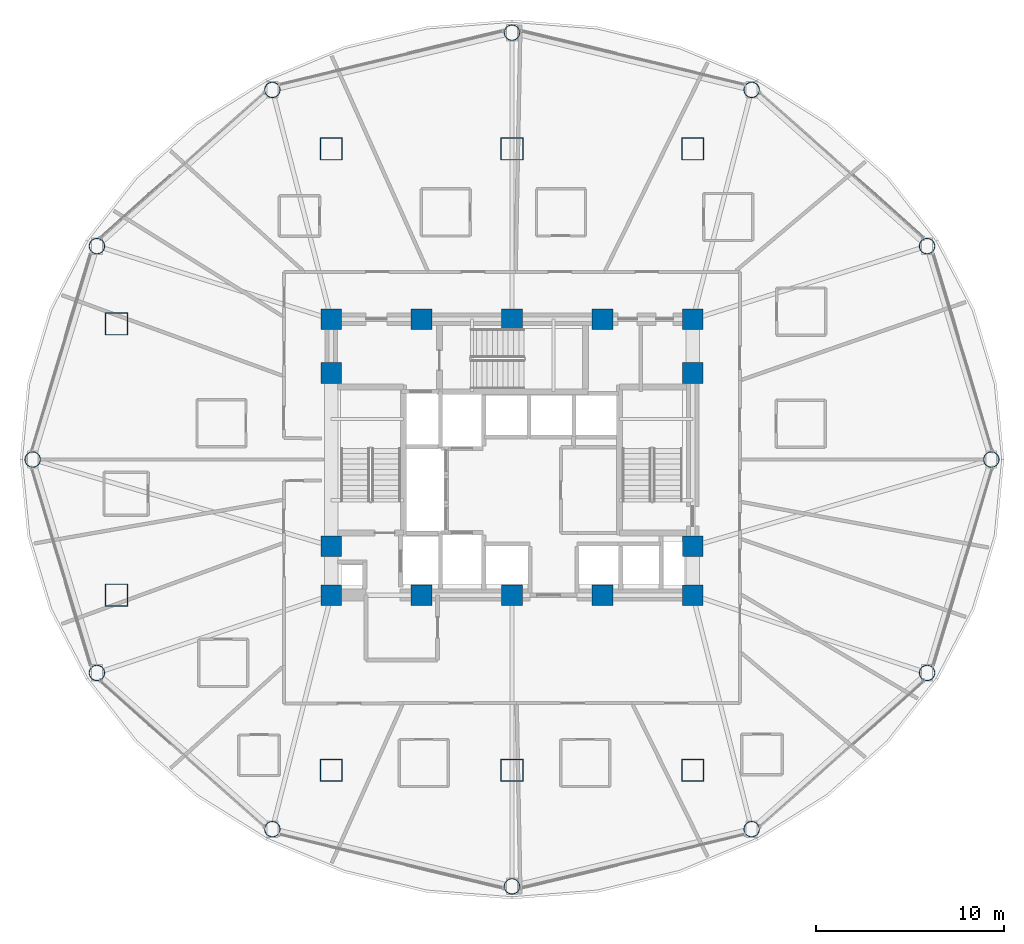
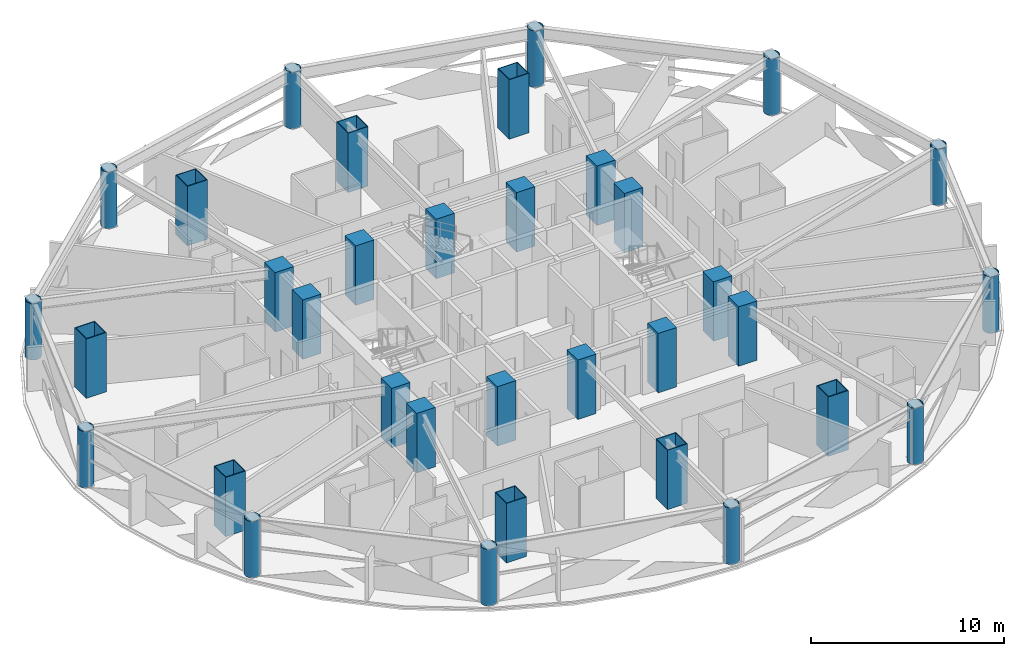
# One storey, part 1 of 31: 34 columns.
"""IFC4 building model written with IfcOpenShell, lengths in metres."""

from ifc_helpers import new_model, si_unit, direction, frame, origin, origin_2d, place, context, subcontext, project, spatial, rectangle, hollow_rectangle, hollow_circle, extrude, material, material_profile, profile_set, type_object, element, save


model = new_model("IFC4")

# Units and contexts
model_context = context("Model", 3, precision=1e-05, world=origin(), true_north=direction((0.0, 1.0)))
body_context = subcontext(model_context, "Body", "Model", "MODEL_VIEW")
ifc_project = project(units=[si_unit("LENGTHUNIT", "METRE"), si_unit("AREAUNIT", "SQUARE_METRE"), si_unit("VOLUMEUNIT", "CUBIC_METRE"), si_unit("PLANEANGLEUNIT", "RADIAN"), si_unit("MASSUNIT", "GRAM", prefix="KILO")], contexts=[model_context])

# Site, building, storey
site_placement = place(None, origin())
site = spatial("IfcSite", under=ifc_project, at=site_placement, CompositionType="ELEMENT")
building_placement = place(site_placement, origin())
building = spatial("IfcBuilding", under=site, at=building_placement, Name="Vantalir Tower", CompositionType="ELEMENT")
storey_placement = place(building_placement, frame((0.0, 0.0, 30.75)))
storey = spatial("IfcBuildingStorey", under=building, at=storey_placement, Name="L06", CompositionType="ELEMENT", Elevation=30.75)

# Columns
ifc_material_1 = material(Name="Concrete C60/75", Category="concrete")
ifc_material_profile_1 = material_profile(ifc_material_1, rectangle(XDim=1.10009765625, YDim=1.10009765625, at=origin_2d()), Name="Concrete C60/75")
ifc_profile_set_1 = profile_set([ifc_material_profile_1], Name="Concrete C60/75")
column_type_1 = type_object("IfcColumnType", Name="COL-CC-1100", PredefinedType="COLUMN", material=ifc_profile_set_1)
for number, where, z_axis, x_axis, name in (
    (1, (21.89990234375, 17.800048828125, 0.0), (0.0, 0.0, 1.0), (1.0, 0.0, 0.0), "L06 Core Column CC01"),
    (2, (26.699951171875, 17.800048828125, 0.0), (0.0, 0.0, 1.0), (1.0, 0.0, 0.0), "L06 Core Column CC02"),
    (3, (31.5, 17.800048828125, 0.0), (0.0, 0.0, 1.0), (1.0, 0.0, 0.0), "L06 Core Column CC03"),
    (4, (36.300048828125, 17.800048828125, 0.0), (0.0, 0.0, 1.0), (1.0, 0.0, 0.0), "L06 Core Column CC04"),
    (5, (41.10009765625, 17.800048828125, 0.0), (0.0, 0.0, 1.0), (1.0, 0.0, 0.0), "L06 Core Column CC05"),
    (6, (21.89990234375, 20.39990234375, 0.0), (0.0, 0.0, 1.0), (1.0, 0.0, 0.0), "L06 Core Column CC06"),
    (7, (21.89990234375, 29.60009765625, 0.0), (0.0, 0.0, 1.0), (1.0, 0.0, 0.0), "L06 Core Column CC07"),
    (8, (41.10009765625, 20.39990234375, 0.0), (0.0, 0.0, 1.0), (1.0, 0.0, 0.0), "L06 Core Column CC08"),
    (9, (41.10009765625, 29.60009765625, 0.0), (0.0, 0.0, 1.0), (1.0, 0.0, 0.0), "L06 Core Column CC09"),
    (10, (21.89990234375, 32.449951171875, 0.0), (0.0, 0.0, 1.0), (1.0, 0.0, 0.0), "L06 Core Column CC10"),
    (11, (26.699951171875, 32.449951171875, 0.0), (0.0, 0.0, 1.0), (1.0, 0.0, 0.0), "L06 Core Column CC11"),
    (12, (31.5, 32.449951171875, 0.0), (0.0, 0.0, 1.0), (1.0, 0.0, 0.0), "L06 Core Column CC12"),
    (13, (36.300048828125, 32.449951171875, 0.0), (0.0, 0.0, 1.0), (1.0, 0.0, 0.0), "L06 Core Column CC13"),
    (14, (41.10009765625, 32.449951171875, 0.0), (0.0, 0.0, 1.0), (1.0, 0.0, 0.0), "L06 Core Column CC14"),
):
    element("IfcColumn", number, at=place(storey_placement, frame(where, z_axis=z_axis, x_axis=x_axis)), inside=storey, type_object=column_type_1, Name=name, PredefinedType="COLUMN", context=body_context, shape_type="SweptSolid", body=[
        extrude(rectangle(XDim=1.10009765625, YDim=1.10009765625, at=origin_2d()), origin(), (0.0, 0.0, 1.0), 3.75),
    ])
ifc_material_2 = material(Name="Steel S460", Category="steel")
ifc_material_profile_2 = material_profile(ifc_material_2, hollow_rectangle(XDim=1.199951171875, YDim=1.199951171875, WallThickness=0.044921875, at=origin_2d()), Name="Steel S460")
ifc_profile_set_2 = profile_set([ifc_material_profile_2], Name="Steel S460")
column_type_2 = type_object("IfcColumnType", Name="COL-MC-1200", PredefinedType="COLUMN", material=ifc_profile_set_2)
for number, where, z_axis, x_axis, name in (
    (15, (21.89990234375, 8.5, 0.0), (0.0, 0.0, 1.0), (1.0, 0.0, 0.0), "L06 S460 Mega-Column MC01"),
    (16, (31.5, 8.5, 0.0), (0.0, 0.0, 1.0), (1.0, 0.0, 0.0), "L06 S460 Mega-Column MC02"),
    (17, (41.10009765625, 8.5, 0.0), (0.0, 0.0, 1.0), (1.0, 0.0, 0.0), "L06 S460 Mega-Column MC03"),
    (18, (10.5, 17.800048828125, 0.0), (0.0, 0.0, 1.0), (1.0, 0.0, 0.0), "L06 S460 Mega-Column MC04"),
    (19, (10.5, 32.199951171875, 0.0), (0.0, 0.0, 1.0), (1.0, 0.0, 0.0), "L06 S460 Mega-Column MC05"),
    (20, (21.89990234375, 41.5, 0.0), (0.0, 0.0, 1.0), (1.0, 0.0, 0.0), "L06 S460 Mega-Column MC06"),
    (21, (31.5, 41.5, 0.0), (0.0, 0.0, 1.0), (1.0, 0.0, 0.0), "L06 S460 Mega-Column MC07"),
    (22, (41.10009765625, 41.5, 0.0), (0.0, 0.0, 1.0), (1.0, 0.0, 0.0), "L06 S460 Mega-Column MC08"),
):
    element("IfcColumn", number, at=place(storey_placement, frame(where, z_axis=z_axis, x_axis=x_axis)), inside=storey, type_object=column_type_2, Name=name, PredefinedType="COLUMN", context=body_context, shape_type="SweptSolid", body=[
        extrude(hollow_rectangle(XDim=1.199951171875, YDim=1.199951171875, WallThickness=0.044921875, at=origin_2d()), origin(), (0.0, 0.0, 1.0), 3.75),
    ])
ifc_material_profile_3 = material_profile(ifc_material_2, hollow_circle(Radius=0.425048828125, WallThickness=0.0400390625, at=origin_2d()), Name="Steel S460")
ifc_profile_set_3 = profile_set([ifc_material_profile_3], Name="Steel S460")
column_type_3 = type_object("IfcColumnType", Name="COL-RC-850", PredefinedType="COLUMN", material=ifc_profile_set_3)
for number, where, z_axis, x_axis, name in (
    (23, (56.949951171875, 25.0, 0.0), (0.0, 0.0, 1.0), (1.0, 0.0, 0.0), "L06 Perimeter Ring Column RC01"),
    (24, (53.5400390625, 36.33203125, 0.0), (0.0, 0.0, 1.0), (1.0, 0.0, 0.0), "L06 Perimeter Ring Column RC02"),
    (25, (44.22509765625, 44.6279296875, 0.0), (0.0, 0.0, 1.0), (1.0, 0.0, 0.0), "L06 Perimeter Ring Column RC03"),
    (26, (31.5, 47.6640625, 0.0), (0.0, 0.0, 1.0), (1.0, 0.0, 0.0), "L06 Perimeter Ring Column RC04"),
    (27, (18.77490234375, 44.6279296875, 0.0), (0.0, 0.0, 1.0), (1.0, 0.0, 0.0), "L06 Perimeter Ring Column RC05"),
    (28, (9.4599609375, 36.33203125, 0.0), (0.0, 0.0, 1.0), (1.0, 0.0, 0.0), "L06 Perimeter Ring Column RC06"),
    (29, (6.050048828125, 25.0, 0.0), (0.0, 0.0, 1.0), (1.0, 0.0, 0.0), "L06 Perimeter Ring Column RC07"),
    (30, (9.4599609375, 13.66796875, 0.0), (0.0, 0.0, 1.0), (1.0, 0.0, 0.0), "L06 Perimeter Ring Column RC08"),
    (31, (18.77490234375, 5.3720703125, 0.0), (0.0, 0.0, 1.0), (1.0, 0.0, 0.0), "L06 Perimeter Ring Column RC09"),
    (32, (31.5, 2.3359375, 0.0), (0.0, 0.0, 1.0), (1.0, 0.0, 0.0), "L06 Perimeter Ring Column RC10"),
    (33, (44.22509765625, 5.3720703125, 0.0), (0.0, 0.0, 1.0), (1.0, 0.0, 0.0), "L06 Perimeter Ring Column RC11"),
    (34, (53.5400390625, 13.66796875, 0.0), (0.0, 0.0, 1.0), (1.0, 0.0, 0.0), "L06 Perimeter Ring Column RC12"),
):
    element("IfcColumn", number, at=place(storey_placement, frame(where, z_axis=z_axis, x_axis=x_axis)), inside=storey, type_object=column_type_3, Name=name, PredefinedType="COLUMN", context=body_context, shape_type="SweptSolid", body=[
        extrude(hollow_circle(Radius=0.425048828125, WallThickness=0.0400390625, at=origin_2d()), origin(), (0.0, 0.0, 1.0), 3.570068359375),
    ])

save(model, "model.ifc")
